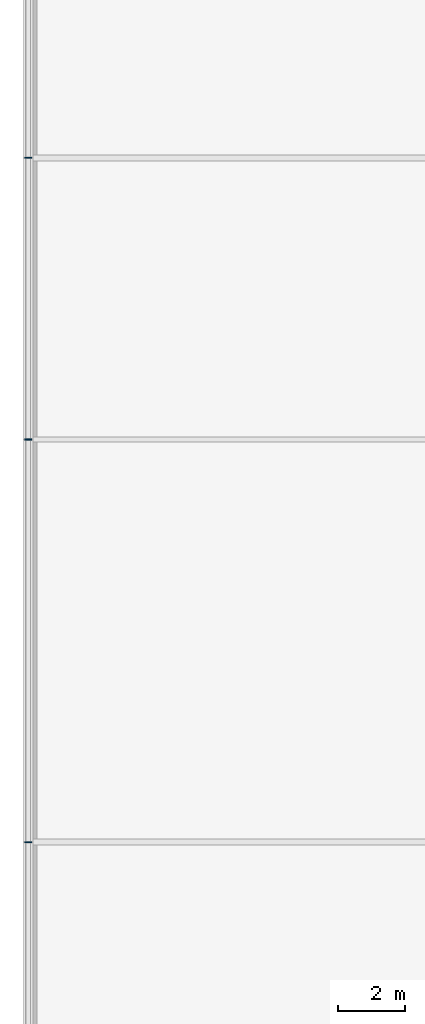
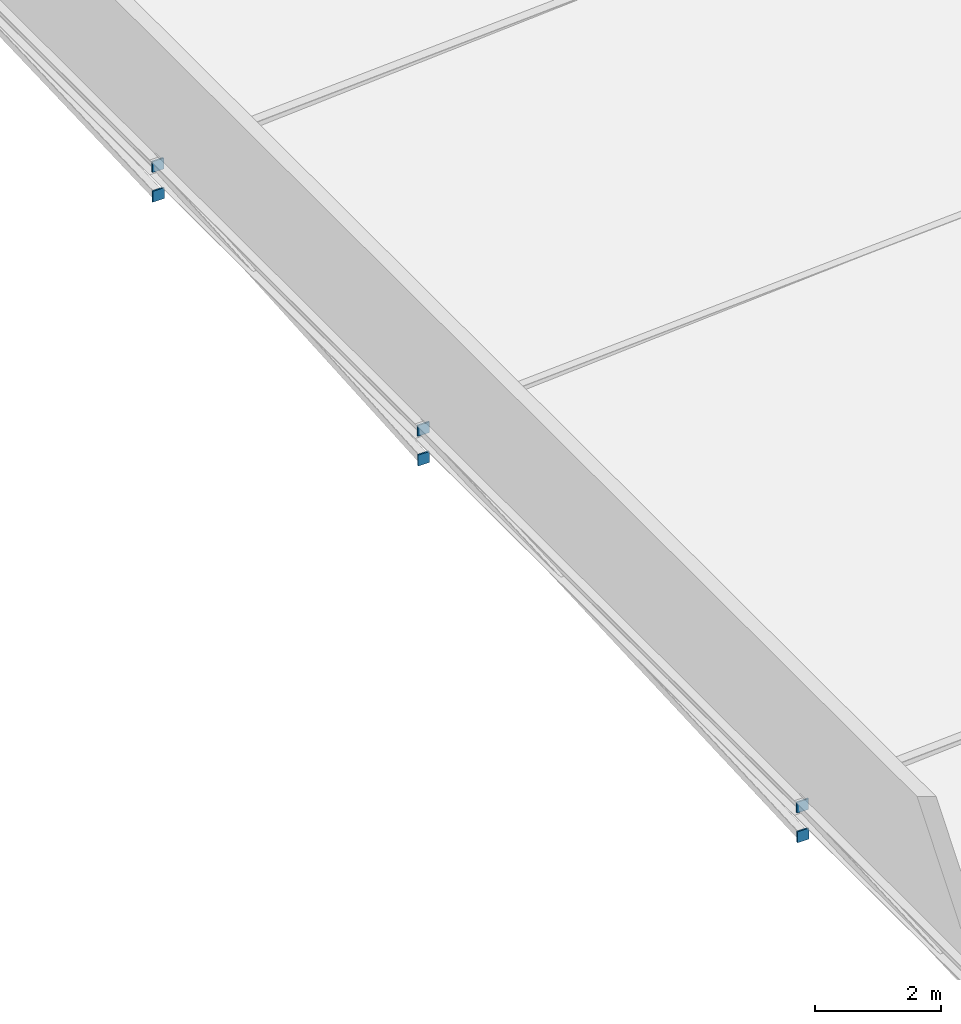
# One storey, part 58 of 77: 6 plates.
"""IFC4 building model written with IfcOpenShell, lengths in metres."""

from ifc_helpers import new_model, si_unit, direction, frame, origin, origin_2d, place, context, subcontext, project, spatial, rectangle, extrude, material, layer, layer_set, type_object, element, save


model = new_model("IFC4")

# Units and contexts
model_context = context("Model", 3, precision=1e-05, world=origin(), true_north=direction((0.0, 1.0)))
body_context = subcontext(model_context, "Body", "Model", "MODEL_VIEW")
ifc_project = project(units=[si_unit("LENGTHUNIT", "METRE"), si_unit("AREAUNIT", "SQUARE_METRE"), si_unit("VOLUMEUNIT", "CUBIC_METRE"), si_unit("PLANEANGLEUNIT", "RADIAN"), si_unit("MASSUNIT", "GRAM", prefix="KILO")], contexts=[model_context])

# Site, building, storey
site_placement = place(None, origin())
site = spatial("IfcSite", under=ifc_project, at=site_placement, CompositionType="ELEMENT")
building_placement = place(site_placement, origin())
building = spatial("IfcBuilding", under=site, at=building_placement, Name="Larkvane Passage Sports Hall", CompositionType="ELEMENT")
storey_placement = place(building_placement, frame((0.0, 0.0, 22.199951171875)))
storey = spatial("IfcBuildingStorey", under=building, at=storey_placement, Name="RF", CompositionType="ELEMENT", Elevation=22.199951171875)

# Plates
ifc_material = material(Name="Steel S355JR", Category="steel")
ifc_layer = layer(ifc_material, 0.011962890625)
ifc_layer_set = layer_set([ifc_layer], Name="Steel S355JR")
plate_type = type_object("IfcPlateType", Name="PLT-CAP-12", PredefinedType="SHEET", material=ifc_layer_set)
for number, where, z_axis, x_axis, name in (
    (1, (0.0, 63.60595703125, -0.084716796875), (0.0, 0.0, 1.0), (-1.0, 0.0, 0.0), "Hollow section sealed end cap plate 0539"),
    (2, (0.0, 63.593994140625, -0.650146484375), (0.0, 0.0, 1.0), (-1.0, 0.0, 0.0), "Hollow section sealed end cap plate 0540"),
    (3, (0.0, 75.60595703125, -0.084716796875), (0.0, 0.0, 1.0), (-1.0, 0.0, 0.0), "Hollow section sealed end cap plate 0541"),
    (4, (0.0, 75.593994140625, -0.650390625), (0.0, 0.0, 1.0), (-1.0, 0.0, 0.0), "Hollow section sealed end cap plate 0542"),
    (5, (0.0, 84.006103515625, -0.08447265625), (0.0, 0.0, 1.0), (-1.0, 0.0, 0.0), "Hollow section sealed end cap plate 0543"),
    (6, (0.0, 83.993896484375, -0.650146484375), (0.0, 0.0, 1.0), (-1.0, 0.0, 0.0), "Hollow section sealed end cap plate 0544"),
):
    element("IfcPlate", number, at=place(storey_placement, frame(where, z_axis=z_axis, x_axis=x_axis)), inside=storey, type_object=plate_type, Name=name, PredefinedType="SHEET", context=body_context, shape_type="SweptSolid", body=[
        extrude(rectangle(XDim=0.2099609375, YDim=0.028076171875, at=origin_2d()), origin(), (0.0, 0.0, 1.0), 0.2099609375),
    ])

save(model, "model.ifc")
